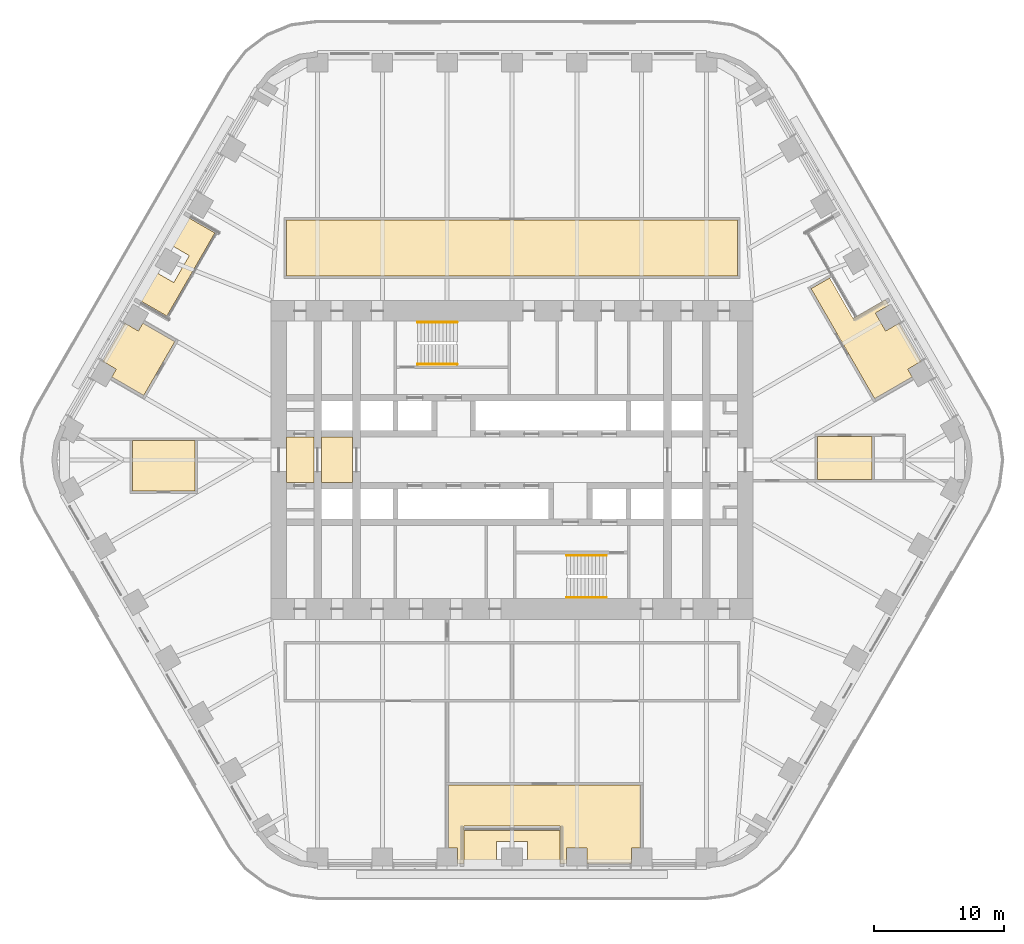
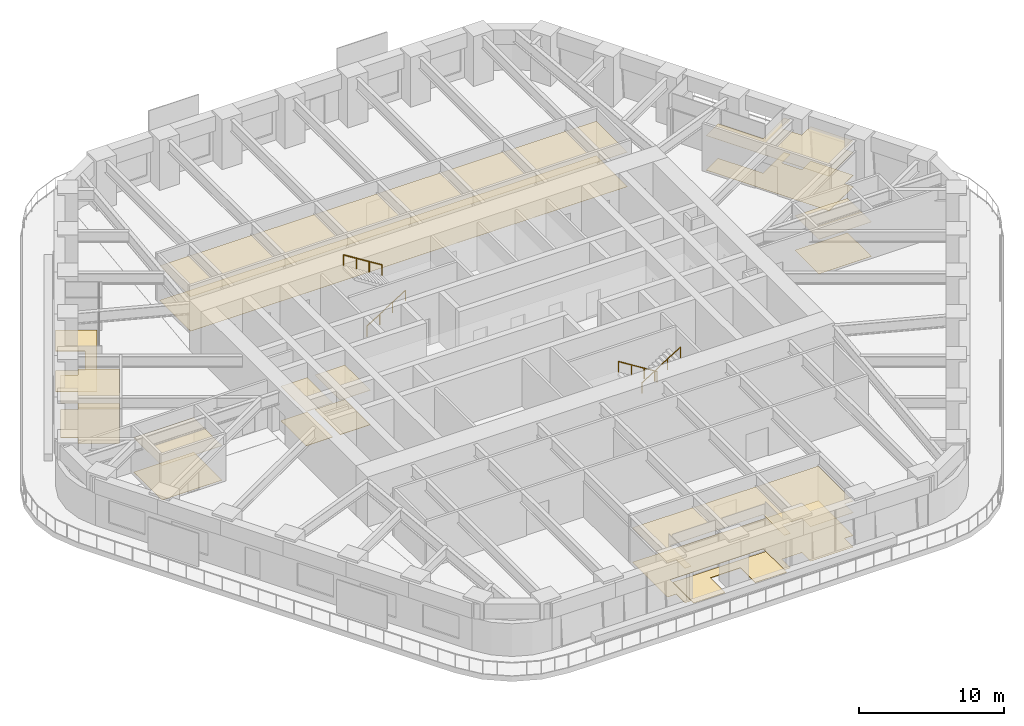
# One storey, part 22 of 24: 8 coverings, 4 railings.
"""IFC4 building model written with IfcOpenShell, lengths in metres."""

from ifc_helpers import new_model, si_unit, direction, frame, origin, origin_2d, place, context, subcontext, project, spatial, polyline, circle, outline, extrude, material, layer, layer_set, type_object, element, save


model = new_model("IFC4")

# Units and contexts
model_context = context("Model", 3, precision=1e-05, world=origin(), true_north=direction((0.0, 1.0)))
body_context = subcontext(model_context, "Body", "Model", "MODEL_VIEW")
ifc_project = project(units=[si_unit("LENGTHUNIT", "METRE"), si_unit("AREAUNIT", "SQUARE_METRE"), si_unit("VOLUMEUNIT", "CUBIC_METRE"), si_unit("PLANEANGLEUNIT", "RADIAN"), si_unit("MASSUNIT", "GRAM", prefix="KILO")], contexts=[model_context])

# Site, building, storey
site_placement = place(None, origin())
site = spatial("IfcSite", under=ifc_project, at=site_placement, CompositionType="ELEMENT")
building_placement = place(site_placement, origin())
building = spatial("IfcBuilding", under=site, at=building_placement, Name="Tarfa Lantern Tower", CompositionType="ELEMENT")
storey_placement = place(building_placement, frame((0.0, 0.0, 174.10009765625)))
storey = spatial("IfcBuildingStorey", under=building, at=storey_placement, Name="L39", CompositionType="ELEMENT", Elevation=174.10009765625)

# Coverings
ifc_material_1 = material(Name="Mineral fibre acoustic tile on suspension grid", Category="finish")
ifc_layer_1 = layer(ifc_material_1, 0.02001953125)
ifc_layer_set_1 = layer_set([ifc_layer_1], Name="CL1 ACOUSTIC TILE CEILING 20")
covering_type_1 = type_object("IfcCoveringType", Name="CL1 ACOUSTIC TILE CEILING 20", PredefinedType="CEILING", material=ifc_layer_set_1)
covering_1_placement = place(storey_placement, frame((0.0, 0.0, 2.89990234375)))
element("IfcCovering", 1, at=covering_1_placement, inside=storey, type_object=covering_type_1, Name="Ceiling L39 CL1", PredefinedType="CEILING", context=body_context, shape_type="SweptSolid", body=[
    extrude(outline(polyline([(27.989990234375, 4.719970703125), (23.086181640625, 13.21337890625), (24.51513671875, 14.038330078125), (26.317138671875, 10.91748046875), (28.82861328125, 12.367431640625), (29.07861328125, 11.9345703125), (28.039306640625, 11.33447265625), (28.83935546875, 9.94873046875), (29.878662109375, 10.548828125), (31.580322265625, 7.60107421875), (30.541259765625, 7.001220703125), (30.89111328125, 6.39501953125), (27.989990234375, 4.719970703125)])), origin(), (0.0, 0.0, 1.0), 0.02001953125),
    extrude(outline(polyline([(-28.423095703125, 4.969970703125), (-30.89111328125, 6.39501953125), (-30.541259765625, 7.001220703125), (-31.580322265625, 7.60107421875), (-29.878662109375, 10.548828125), (-28.83935546875, 9.94873046875), (-28.4892578125, 10.55517578125), (-26.021240234375, 9.130126953125), (-28.423095703125, 4.969970703125)])), origin(), (0.0, 0.0, 1.0), 0.02001953125),
    extrude(outline(polyline([(9.907470703125, -25.10009765625), (9.907470703125, -29.949951171875), (9.20751953125, -29.949951171875), (9.20751953125, -31.14990234375), (5.8037109375, -31.14990234375), (5.8037109375, -29.949951171875), (4.20361328125, -29.949951171875), (4.20361328125, -31.14990234375), (3.70361328125, -31.14990234375), (3.70361328125, -28.25), (-3.70361328125, -28.25), (-3.70361328125, -31.14990234375), (-4.20361328125, -31.14990234375), (-4.20361328125, -29.949951171875), (-4.90380859375, -29.949951171875), (-4.90380859375, -25.10009765625), (9.907470703125, -25.10009765625)])), origin(), (0.0, 0.0, 1.0), 0.02001953125),
    extrude(outline(polyline([(27.78271484375, 1.800048828125), (27.78271484375, -1.5), (23.582763671875, -1.5), (23.582763671875, 1.800048828125), (27.78271484375, 1.800048828125)])), origin(), (0.0, 0.0, 1.0), 0.02001953125),
    extrude(outline(polyline([(-29.28271484375, -2.39990234375), (-29.28271484375, 1.5), (-24.482666015625, 1.5), (-24.482666015625, -2.39990234375), (-29.28271484375, -2.39990234375)])), origin(), (0.0, 0.0, 1.0), 0.02001953125),
    extrude(outline(polyline([(-17.39990234375, 18.5), (17.39990234375, 18.5), (17.39990234375, 14.199951171875), (-17.39990234375, 14.199951171875), (-17.39990234375, 18.5)])), origin(), (0.0, 0.0, 1.0), 0.02001953125),
])
ifc_material_2 = material(Name="Powder-coated aluminium panel", Category="aluminium")
ifc_layer_2 = layer(ifc_material_2, 0.030029296875)
ifc_layer_set_2 = layer_set([ifc_layer_2], Name="CL3 METAL PANEL CEILING 30")
covering_type_2 = type_object("IfcCoveringType", Name="CL3 METAL PANEL CEILING 30", PredefinedType="CEILING", material=ifc_layer_set_2)
covering_2_placement = place(storey_placement, frame((0.0, 0.0, 2.89990234375)))
element("IfcCovering", 2, at=covering_2_placement, inside=storey, type_object=covering_type_2, Name="Ceiling L39-01", PredefinedType="CEILING", context=body_context, shape_type="SweptSolid", body=[
    extrude(outline(polyline([(-17.39990234375, -1.75), (-15.300048828125, -1.75), (-15.300048828125, 1.75), (-17.39990234375, 1.75), (-17.39990234375, -1.75)])), origin(), (0.0, 0.0, 1.0), 0.030029296875),
])
covering_3_placement = place(storey_placement, frame((0.0, 0.0, 2.89990234375)))
element("IfcCovering", 3, at=covering_3_placement, inside=storey, type_object=covering_type_2, Name="Ceiling L39-02", PredefinedType="CEILING", context=body_context, shape_type="SweptSolid", body=[
    extrude(outline(polyline([(-14.699951171875, -1.75), (-12.300048828125, -1.75), (-12.300048828125, 1.75), (-14.699951171875, 1.75), (-14.699951171875, -1.75)])), origin(), (0.0, 0.0, 1.0), 0.030029296875),
])
ifc_material_3 = material(Name="Nylon carpet tile", Category="finish")
ifc_layer_3 = layer(ifc_material_3, 0.010009765625)
ifc_layer_set_3 = layer_set([ifc_layer_3], Name="FL1 CARPET TILE 10")
covering_type_3 = type_object("IfcCoveringType", Name="FL1 CARPET TILE 10", PredefinedType="FLOORING", material=ifc_layer_set_3)
covering_4_placement = place(storey_placement, origin())
element("IfcCovering", 4, at=covering_4_placement, inside=storey, type_object=covering_type_3, Name="Floor finish L39 FL1", PredefinedType="FLOORING", context=body_context, shape_type="SweptSolid", body=[
    extrude(outline(polyline([(27.989990234375, 4.719970703125), (23.086181640625, 13.21337890625), (24.51513671875, 14.038330078125), (26.317138671875, 10.91748046875), (28.82861328125, 12.367431640625), (29.07861328125, 11.9345703125), (28.039306640625, 11.33447265625), (28.83935546875, 9.94873046875), (29.878662109375, 10.548828125), (31.580322265625, 7.60107421875), (30.541259765625, 7.001220703125), (30.89111328125, 6.39501953125), (27.989990234375, 4.719970703125)])), origin(), (0.0, 0.0, 1.0), 0.010009765625),
    extrude(outline(polyline([(-28.423095703125, 4.969970703125), (-30.89111328125, 6.39501953125), (-30.541259765625, 7.001220703125), (-31.580322265625, 7.60107421875), (-29.878662109375, 10.548828125), (-28.83935546875, 9.94873046875), (-28.4892578125, 10.55517578125), (-26.021240234375, 9.130126953125), (-28.423095703125, 4.969970703125)])), origin(), (0.0, 0.0, 1.0), 0.010009765625),
    extrude(outline(polyline([(9.907470703125, -25.10009765625), (9.907470703125, -29.949951171875), (9.20751953125, -29.949951171875), (9.20751953125, -31.14990234375), (5.8037109375, -31.14990234375), (5.8037109375, -29.949951171875), (4.20361328125, -29.949951171875), (4.20361328125, -31.14990234375), (3.70361328125, -31.14990234375), (3.70361328125, -28.25), (-3.70361328125, -28.25), (-3.70361328125, -31.14990234375), (-4.20361328125, -31.14990234375), (-4.20361328125, -29.949951171875), (-4.90380859375, -29.949951171875), (-4.90380859375, -25.10009765625), (9.907470703125, -25.10009765625)])), origin(), (0.0, 0.0, 1.0), 0.010009765625),
    extrude(outline(polyline([(27.78271484375, 1.800048828125), (27.78271484375, -1.5), (23.582763671875, -1.5), (23.582763671875, 1.800048828125), (27.78271484375, 1.800048828125)])), origin(), (0.0, 0.0, 1.0), 0.010009765625),
    extrude(outline(polyline([(-29.28271484375, -2.39990234375), (-29.28271484375, 1.5), (-24.482666015625, 1.5), (-24.482666015625, -2.39990234375), (-29.28271484375, -2.39990234375)])), origin(), (0.0, 0.0, 1.0), 0.010009765625),
    extrude(outline(polyline([(-17.39990234375, 18.5), (17.39990234375, 18.5), (17.39990234375, 14.199951171875), (-17.39990234375, 14.199951171875), (-17.39990234375, 18.5)])), origin(), (0.0, 0.0, 1.0), 0.010009765625),
])
ifc_material_4 = material(Name="Honed limestone flooring", Category="masonry")
ifc_layer_4 = layer(ifc_material_4, 0.030029296875)
ifc_layer_set_4 = layer_set([ifc_layer_4], Name="FL2 STONE FLOORING 30")
covering_type_4 = type_object("IfcCoveringType", Name="FL2 STONE FLOORING 30", PredefinedType="FLOORING", material=ifc_layer_set_4)
covering_5_placement = place(storey_placement, origin())
element("IfcCovering", 5, at=covering_5_placement, inside=storey, type_object=covering_type_4, Name="Floor finish L39-01", PredefinedType="FLOORING", context=body_context, shape_type="SweptSolid", body=[
    extrude(outline(polyline([(-17.39990234375, -1.75), (-15.300048828125, -1.75), (-15.300048828125, 1.75), (-17.39990234375, 1.75), (-17.39990234375, -1.75)])), origin(), (0.0, 0.0, 1.0), 0.02978515625),
])
covering_6_placement = place(storey_placement, origin())
element("IfcCovering", 6, at=covering_6_placement, inside=storey, type_object=covering_type_4, Name="Floor finish L39-02", PredefinedType="FLOORING", context=body_context, shape_type="SweptSolid", body=[
    extrude(outline(polyline([(-14.699951171875, -1.75), (-12.300048828125, -1.75), (-12.300048828125, 1.75), (-14.699951171875, 1.75), (-14.699951171875, -1.75)])), origin(), (0.0, 0.0, 1.0), 0.02978515625),
])

# Railings
ifc_material_5 = material(Name="Stainless steel", Category="steel")
railing_type = type_object("IfcRailingType", Name="HR1 HANDRAIL 900", PredefinedType="HANDRAIL", material=ifc_material_5)
railing_1_placement = place(storey_placement, frame((-7.300048828125, 7.3798828125, 0.1748046875)))
element("IfcRailing", 7, at=railing_1_placement, inside=storey, type_object=railing_type, Name="Handrail 1", PredefinedType="HANDRAIL", context=body_context, shape_type="SweptSolid", body=[
    extrude(circle(Radius=0.02392578125, at=origin_2d()), frame((0.0, 0.0, 0.8759765625), z_axis=(0.847998304005, 0.0, 0.529998940003), x_axis=(0.0, 1.0, 0.0)), (0.0, 0.0, 1.0), 3.632080078125),
    extrude(circle(Radius=0.02099609375, at=origin_2d()), frame((0.0, 0.0, 0.0), z_axis=(0.0, 0.0, 1.0), x_axis=(0.0, 1.0, 0.0)), (0.0, 0.0, 1.0), 0.851806640625),
    extrude(circle(Radius=0.02099609375, at=origin_2d()), frame((1.026611328125, 0.0, 0.6416015625), z_axis=(0.0, 0.0, 1.0), x_axis=(0.0, 1.0, 0.0)), (0.0, 0.0, 1.0), 0.851806640625),
    extrude(circle(Radius=0.02099609375, at=origin_2d()), frame((2.053466796875, 0.0, 1.283447265625), z_axis=(0.0, 0.0, 1.0), x_axis=(0.0, 1.0, 0.0)), (0.0, 0.0, 1.0), 0.851806640625),
    extrude(circle(Radius=0.02099609375, at=origin_2d()), frame((3.080078125, 0.0, 1.925048828125), z_axis=(0.0, 0.0, 1.0), x_axis=(0.0, 1.0, 0.0)), (0.0, 0.0, 1.0), 0.851806640625),
])
for number, where, name in (
    (8, (-4.219970703125, 10.6201171875, 2.27490234375), "Handrail 2"),
    (9, (7.300048828125, -7.3798828125, 0.1748046875), "Handrail 1"),
):
    element("IfcRailing", number, at=place(storey_placement, frame(where)), inside=storey, type_object=railing_type, Name=name, PredefinedType="HANDRAIL", context=body_context, shape_type="SweptSolid", body=[
        extrude(circle(Radius=0.02392578125, at=origin_2d()), frame((0.0, 0.0, 0.8759765625), z_axis=(-0.847998304005, 0.0, 0.529998940003), x_axis=(0.0, -1.0, 0.0)), (0.0, 0.0, 1.0), 3.632080078125),
        extrude(circle(Radius=0.02099609375, at=origin_2d()), frame((0.0, 0.0, 0.0), z_axis=(0.0, 0.0, 1.0), x_axis=(0.0, -1.0, 0.0)), (0.0, 0.0, 1.0), 0.851806640625),
        extrude(circle(Radius=0.02099609375, at=origin_2d()), frame((-1.026611328125, 0.0, 0.6416015625), z_axis=(0.0, 0.0, 1.0), x_axis=(0.0, -1.0, 0.0)), (0.0, 0.0, 1.0), 0.851806640625),
        extrude(circle(Radius=0.02099609375, at=origin_2d()), frame((-2.053466796875, 0.0, 1.283447265625), z_axis=(0.0, 0.0, 1.0), x_axis=(0.0, -1.0, 0.0)), (0.0, 0.0, 1.0), 0.851806640625),
        extrude(circle(Radius=0.02099609375, at=origin_2d()), frame((-3.080078125, 0.0, 1.925048828125), z_axis=(0.0, 0.0, 1.0), x_axis=(0.0, -1.0, 0.0)), (0.0, 0.0, 1.0), 0.851806640625),
    ])
railing_2_placement = place(storey_placement, frame((4.219970703125, -10.6201171875, 2.27490234375)))
element("IfcRailing", 10, at=railing_2_placement, inside=storey, type_object=railing_type, Name="Handrail 2", PredefinedType="HANDRAIL", context=body_context, shape_type="SweptSolid", body=[
    extrude(circle(Radius=0.02392578125, at=origin_2d()), frame((0.0, 0.0, 0.8759765625), z_axis=(0.847998304005, 0.0, 0.529998940003), x_axis=(0.0, 1.0, 0.0)), (0.0, 0.0, 1.0), 3.632080078125),
    extrude(circle(Radius=0.02099609375, at=origin_2d()), frame((0.0, 0.0, 0.0), z_axis=(0.0, 0.0, 1.0), x_axis=(0.0, 1.0, 0.0)), (0.0, 0.0, 1.0), 0.851806640625),
    extrude(circle(Radius=0.02099609375, at=origin_2d()), frame((1.026611328125, 0.0, 0.6416015625), z_axis=(0.0, 0.0, 1.0), x_axis=(0.0, 1.0, 0.0)), (0.0, 0.0, 1.0), 0.851806640625),
    extrude(circle(Radius=0.02099609375, at=origin_2d()), frame((2.053466796875, 0.0, 1.283447265625), z_axis=(0.0, 0.0, 1.0), x_axis=(0.0, 1.0, 0.0)), (0.0, 0.0, 1.0), 0.851806640625),
    extrude(circle(Radius=0.02099609375, at=origin_2d()), frame((3.080078125, 0.0, 1.925048828125), z_axis=(0.0, 0.0, 1.0), x_axis=(0.0, 1.0, 0.0)), (0.0, 0.0, 1.0), 0.851806640625),
])

# Coverings
ifc_material_6 = material(Name="Porcelain pavers on pedestals", Category="ceramic")
ifc_layer_5 = layer(ifc_material_6, 0.0400390625)
ifc_layer_set_5 = layer_set([ifc_layer_5], Name="LP1 LOGGIA PAVING 40")
covering_type_5 = type_object("IfcCoveringType", Name="LP1 LOGGIA PAVING 40", PredefinedType="FLOORING", material=ifc_layer_set_5)
covering_7_placement = place(storey_placement, origin())
element("IfcCovering", 11, at=covering_7_placement, inside=storey, type_object=covering_type_5, Name="Loggia paving NW", PredefinedType="FLOORING", context=body_context, shape_type="SweptSolid", body=[
    extrude(outline(polyline([(-25.427978515625, 18.95751953125), (-22.933837890625, 17.517578125), (-26.637451171875, 11.1025390625), (-29.131591796875, 12.54248046875), (-27.8798828125, 14.710693359375), (-26.1044921875, 13.685791015625), (-24.904541015625, 15.76416015625), (-26.6796875, 16.789306640625), (-25.427978515625, 18.95751953125)])), origin(), (0.0, 0.0, 1.0), 0.039794921875),
])
covering_8_placement = place(storey_placement, origin())
element("IfcCovering", 12, at=covering_8_placement, inside=storey, type_object=covering_type_5, Name="Loggia paving S", PredefinedType="FLOORING", context=body_context, shape_type="SweptSolid", body=[
    extrude(outline(polyline([(-3.70361328125, -31.5), (-3.70361328125, -28.6201171875), (3.70361328125, -28.6201171875), (3.70361328125, -31.5), (1.199951171875, -31.5), (1.199951171875, -29.449951171875), (-1.199951171875, -29.449951171875), (-1.199951171875, -31.5), (-3.70361328125, -31.5)])), origin(), (0.0, 0.0, 1.0), 0.039794921875),
])

save(model, "model.ifc")
